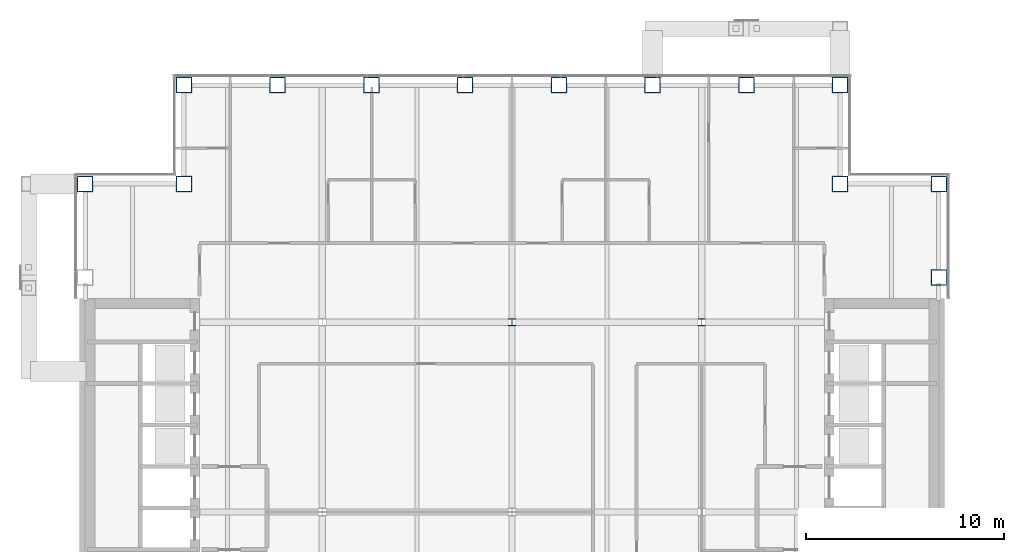
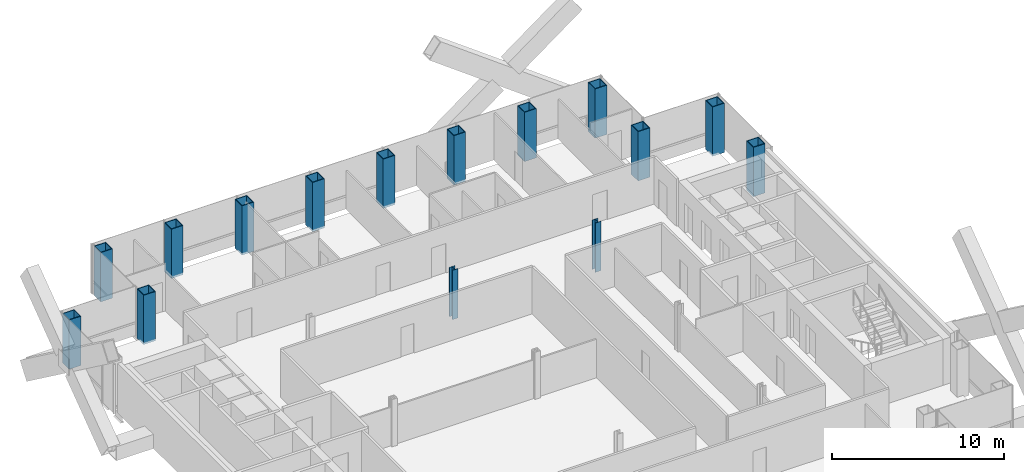
# One storey, part 2 of 14: 15 columns.
"""IFC4 building model written with IfcOpenShell, lengths in metres."""

from ifc_helpers import new_model, si_unit, direction, frame, origin, origin_2d, place, context, subcontext, project, spatial, hollow_rectangle, i_section, extrude, material, material_profile, profile_set, type_object, element, save


model = new_model("IFC4")

# Units and contexts
model_context = context("Model", 3, precision=1e-05, world=origin(), true_north=direction((0.0, 1.0)))
body_context = subcontext(model_context, "Body", "Model", "MODEL_VIEW")
ifc_project = project(units=[si_unit("LENGTHUNIT", "METRE"), si_unit("AREAUNIT", "SQUARE_METRE"), si_unit("VOLUMEUNIT", "CUBIC_METRE"), si_unit("PLANEANGLEUNIT", "RADIAN"), si_unit("MASSUNIT", "GRAM", prefix="KILO")], contexts=[model_context])

# Site, building, storey
site_placement = place(None, origin())
site = spatial("IfcSite", under=ifc_project, at=site_placement, CompositionType="ELEMENT")
building_placement = place(site_placement, origin())
building = spatial("IfcBuilding", under=site, at=building_placement, Name="Cobrizo Arcos Hotel Tower", CompositionType="ELEMENT")
storey_placement = place(building_placement, frame((0.0, 0.0, 179.5)))
storey = spatial("IfcBuildingStorey", under=building, at=storey_placement, Name="L46", CompositionType="ELEMENT", Elevation=179.5)

# Columns
ifc_material_1 = material(Name="Steel ASTM A572 Grade 50", Category="steel")
ifc_material_profile_1 = material_profile(ifc_material_1, hollow_rectangle(XDim=0.800048828125, YDim=0.800048828125, WallThickness=0.044921875, at=origin_2d()), Name="BOX 800X800X45")
ifc_profile_set_1 = profile_set([ifc_material_profile_1], Name="Steel ASTM A572 Grade 50")
column_type_1 = type_object("IfcColumnType", Name="BOX 800X800X45 column", PredefinedType="COLUMN", material=ifc_profile_set_1)
for number, where, z_axis, x_axis, name in (
    (1, (-16.60009765625, 21.60009765625, -0.14990234375), (0.0, 0.0, 1.0), (1.0, 0.0, 0.0), "Perimeter column C8, L46, no. 00"),
    (2, (-11.85693359375, 21.60009765625, -0.14990234375), (0.0, 0.0, 1.0), (1.0, 0.0, 0.0), "Perimeter column C8, L46, no. 02"),
    (3, (-7.114013671875, 21.60009765625, -0.14990234375), (0.0, 0.0, 1.0), (1.0, 0.0, 0.0), "Perimeter column C8, L46, no. 04"),
    (4, (-2.37109375, 21.60009765625, -0.14990234375), (0.0, 0.0, 1.0), (1.0, 0.0, 0.0), "Perimeter column C8, L46, no. 06"),
    (5, (2.37109375, 21.60009765625, -0.14990234375), (0.0, 0.0, 1.0), (1.0, 0.0, 0.0), "Perimeter column C8, L46, no. 08"),
    (6, (7.114013671875, 21.60009765625, -0.14990234375), (0.0, 0.0, 1.0), (1.0, 0.0, 0.0), "Perimeter column C8, L46, no. 10"),
    (7, (11.85693359375, 21.60009765625, -0.14990234375), (0.0, 0.0, 1.0), (1.0, 0.0, 0.0), "Perimeter column C8, L46, no. 12"),
    (8, (16.60009765625, 21.60009765625, -0.14990234375), (0.0, 0.0, 1.0), (1.0, 0.0, 0.0), "Perimeter column C8, L46, no. 14"),
    (9, (21.60009765625, 11.85693359375, -0.14990234375), (0.0, 0.0, 1.0), (1.0, 0.0, 0.0), "Perimeter column C8, L46, no. 20"),
    (10, (21.60009765625, 16.60009765625, -0.14990234375), (0.0, 0.0, 1.0), (1.0, 0.0, 0.0), "Perimeter column C8, L46, no. 22"),
    (11, (-21.60009765625, 16.60009765625, -0.14990234375), (0.0, 0.0, 1.0), (1.0, 0.0, 0.0), "Perimeter column C8, L46, no. 23"),
    (12, (-16.60009765625, 16.60009765625, -0.14990234375), (0.0, 0.0, 1.0), (1.0, 0.0, 0.0), "Perimeter column C8, L46, no. 25"),
    (13, (16.60009765625, 16.60009765625, -0.14990234375), (0.0, 0.0, 1.0), (1.0, 0.0, 0.0), "Perimeter column C8, L46, no. 27"),
):
    element("IfcColumn", number, at=place(storey_placement, frame(where, z_axis=z_axis, x_axis=x_axis)), inside=storey, type_object=column_type_1, Name=name, PredefinedType="COLUMN", context=body_context, shape_type="SweptSolid", body=[
        extrude(hollow_rectangle(XDim=0.800048828125, YDim=0.800048828125, WallThickness=0.044921875, at=origin_2d()), origin(), (0.0, 0.0, 1.0), 3.5),
    ])
ifc_material_2 = material(Name="Steel ASTM A992 Grade 50", Category="steel")
ifc_material_profile_2 = material_profile(ifc_material_2, i_section(OverallWidth=0.373291015625, OverallDepth=0.373291015625, WebThickness=0.016357421875, FlangeThickness=0.026123046875, at=origin_2d()), Name="W14X132")
ifc_profile_set_2 = profile_set([ifc_material_profile_2], Name="Steel ASTM A992 Grade 50")
column_type_2 = type_object("IfcColumnType", Name="W14X132 interior column", PredefinedType="COLUMN", material=ifc_profile_set_2)
for number, where, z_axis, x_axis, name in (
    (14, (0.0, 9.60009765625, -0.14990234375), (0.0, 0.0, 1.0), (1.0, 0.0, 0.0), "Interior column C9, L46, no. 05"),
    (15, (9.60009765625, 9.60009765625, -0.14990234375), (0.0, 0.0, 1.0), (1.0, 0.0, 0.0), "Interior column C9, L46, no. 08"),
):
    element("IfcColumn", number, at=place(storey_placement, frame(where, z_axis=z_axis, x_axis=x_axis)), inside=storey, type_object=column_type_2, Name=name, PredefinedType="COLUMN", context=body_context, shape_type="SweptSolid", body=[
        extrude(i_section(OverallWidth=0.373291015625, OverallDepth=0.373291015625, WebThickness=0.016357421875, FlangeThickness=0.026123046875, at=origin_2d()), origin(), (0.0, 0.0, 1.0), 3.5),
    ])

save(model, "model.ifc")
